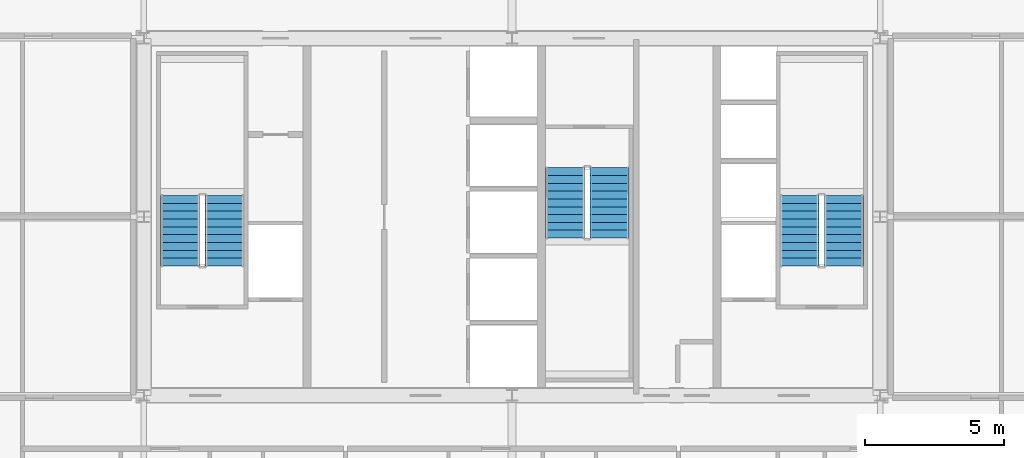
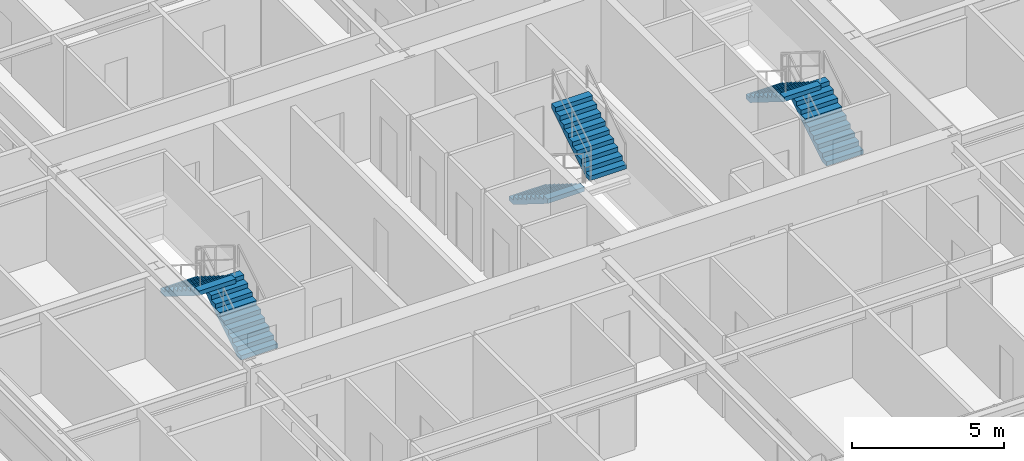
# One storey, part 36 of 37: 6 stair flights, 3 elements without a shape of their own.
"""IFC4 building model written with IfcOpenShell, lengths in metres."""

from ifc_helpers import new_model, si_unit, direction, frame, origin, place, context, subcontext, project, spatial, polyline, outline, extrude, source, transform, mapped, material, type_object, element, aggregate, save


model = new_model("IFC4")

# Units and contexts
model_context = context("Model", 3, precision=1e-05, world=origin(), true_north=direction((0.0, 1.0)))
body_context = subcontext(model_context, "Body", "Model", "MODEL_VIEW")
ifc_project = project(units=[si_unit("LENGTHUNIT", "METRE"), si_unit("AREAUNIT", "SQUARE_METRE"), si_unit("VOLUMEUNIT", "CUBIC_METRE"), si_unit("PLANEANGLEUNIT", "RADIAN"), si_unit("MASSUNIT", "GRAM", prefix="KILO"), si_unit("THERMODYNAMICTEMPERATUREUNIT", "KELVIN"), si_unit("POWERUNIT", "WATT")], contexts=[model_context])

# Site, building, storey
site_placement = place(None, origin())
site = spatial("IfcSite", under=ifc_project, at=site_placement, CompositionType="ELEMENT")
building_placement = place(site_placement, origin())
building = spatial("IfcBuilding", under=site, at=building_placement, Name="Yuzanri Waterfront Tower", CompositionType="ELEMENT")
storey_placement = place(building_placement, frame((0.0, 0.0, 245.10009765625)))
storey = spatial("IfcBuildingStorey", under=building, at=storey_placement, Name="L65", CompositionType="ELEMENT", Elevation=245.10009765625)

# Stair, stair flights
ifc_material_1 = material(Name="Concrete C40", Category="concrete")
stair_type = type_object("IfcStairType", Name="Concrete C40 Core Dogleg Exit Stair", PredefinedType="HALF_TURN_STAIR", material=ifc_material_1)
stair_1_placement = place(storey_placement, origin())
stair_1 = element("IfcStair", 1, at=stair_1_placement, inside=storey, type_object=stair_type, Name="L65 Smoke-Proof Core Stair ST-01", PredefinedType="HALF_TURN_STAIR")
ifc_material_2 = material(Name="Concrete C40", Category="concrete")
stair_flight_type = type_object("IfcStairFlightType", Name="Concrete C40 Precast Stair Flight 1380", PredefinedType="STRAIGHT", material=ifc_material_2)
shared_shape = source(origin(), body_context, "Body", "SweptSolid", [
    extrude(outline(polyline([(0.0, 0.0), (0.0, 0.175048828125), (0.280029296875, 0.175048828125), (0.280029296875, 0.35009765625), (0.56005859375, 0.35009765625), (0.56005859375, 0.52490234375), (0.840087890625, 0.52490234375), (0.840087890625, 0.699951171875), (1.1201171875, 0.699951171875), (1.1201171875, 0.875), (1.39990234375, 0.875), (1.39990234375, 1.050048828125), (1.679931640625, 1.050048828125), (1.679931640625, 1.22509765625), (1.9599609375, 1.22509765625), (1.9599609375, 1.39990234375), (2.239990234375, 1.39990234375), (2.239990234375, 1.574951171875), (2.52001953125, 1.574951171875), (2.52001953125, 1.75), (2.52001953125, 1.398193359375), (0.28271484375, 0.0), (0.0, 0.0)])), frame((0.0, 0.699951171875, 0.0), z_axis=(0.0, -1.0, 0.0), x_axis=(1.0, 0.0, 0.0)), (0.0, 0.0, 1.0), 1.39990234375),
])
stair_flight_1_placement = place(storey_placement, frame((26.699951171875, 24.0400390625, 0.0), z_axis=(0.0, 0.0, 1.0), x_axis=(0.0, 1.0, 0.0)))
stair_flight_1 = element("IfcStairFlight", 2, at=stair_flight_1_placement, type_object=stair_flight_type, Name="ST-01 flight 1", NumberOfRisers=10, NumberOfTreads=9, PredefinedType="STRAIGHT", RiserHeight=0.175, TreadLength=0.28, context=body_context, shape_type="MappedRepresentation", body=[
    mapped(shared_shape, transform((0.0, 0.0, 0.0), scale=1.0)),
])
stair_flight_2_placement = place(storey_placement, frame((25.10009765625, 26.56005859375, 1.75), z_axis=(0.0, 0.0, 1.0), x_axis=(0.0, -1.0, 0.0)))
stair_flight_2 = element("IfcStairFlight", 3, at=stair_flight_2_placement, type_object=stair_flight_type, Name="ST-01 flight 2", NumberOfRisers=10, NumberOfTreads=9, PredefinedType="STRAIGHT", RiserHeight=0.175, TreadLength=0.28, context=body_context, shape_type="MappedRepresentation", body=[
    mapped(shared_shape, transform((0.0, 0.0, 0.0), scale=1.0)),
])
aggregate(stair_1, [stair_flight_1, stair_flight_2])

stair_2_placement = place(storey_placement, origin())
stair_2 = element("IfcStair", 4, at=stair_2_placement, inside=storey, type_object=stair_type, Name="L65 Smoke-Proof Core Stair ST-02", PredefinedType="HALF_TURN_STAIR")
stair_flight_3_placement = place(storey_placement, frame((48.89990234375, 24.0400390625, 0.0), z_axis=(0.0, 0.0, 1.0), x_axis=(0.0, 1.0, 0.0)))
stair_flight_3 = element("IfcStairFlight", 5, at=stair_flight_3_placement, type_object=stair_flight_type, Name="ST-02 flight 1", NumberOfRisers=10, NumberOfTreads=9, PredefinedType="STRAIGHT", RiserHeight=0.175, TreadLength=0.28, context=body_context, shape_type="MappedRepresentation", body=[
    mapped(shared_shape, transform((0.0, 0.0, 0.0), scale=1.0)),
])
stair_flight_4_placement = place(storey_placement, frame((47.300048828125, 26.56005859375, 1.75), z_axis=(0.0, 0.0, 1.0), x_axis=(0.0, -1.0, 0.0)))
stair_flight_4 = element("IfcStairFlight", 6, at=stair_flight_4_placement, type_object=stair_flight_type, Name="ST-02 flight 2", NumberOfRisers=10, NumberOfTreads=9, PredefinedType="STRAIGHT", RiserHeight=0.175, TreadLength=0.28, context=body_context, shape_type="MappedRepresentation", body=[
    mapped(shared_shape, transform((0.0, 0.0, 0.0), scale=1.0)),
])
aggregate(stair_2, [stair_flight_3, stair_flight_4])

stair_3_placement = place(storey_placement, origin())
stair_3 = element("IfcStair", 7, at=stair_3_placement, inside=storey, type_object=stair_type, Name="L65 Smoke-Proof Core Stair ST-03", PredefinedType="HALF_TURN_STAIR")
stair_flight_5_placement = place(storey_placement, frame((38.89990234375, 27.56005859375, 0.0), z_axis=(0.0, 0.0, 1.0), x_axis=(0.0, -1.0, 0.0)))
stair_flight_5 = element("IfcStairFlight", 8, at=stair_flight_5_placement, type_object=stair_flight_type, Name="ST-03 flight 1", NumberOfRisers=10, NumberOfTreads=9, PredefinedType="STRAIGHT", RiserHeight=0.175, TreadLength=0.28, context=body_context, shape_type="MappedRepresentation", body=[
    mapped(shared_shape, transform((0.0, 0.0, 0.0), scale=1.0)),
])
stair_flight_6_placement = place(storey_placement, frame((40.5, 25.0400390625, 1.75), z_axis=(0.0, 0.0, 1.0), x_axis=(0.0, 1.0, 0.0)))
stair_flight_6 = element("IfcStairFlight", 9, at=stair_flight_6_placement, type_object=stair_flight_type, Name="ST-03 flight 2", NumberOfRisers=10, NumberOfTreads=9, PredefinedType="STRAIGHT", RiserHeight=0.175, TreadLength=0.28, context=body_context, shape_type="MappedRepresentation", body=[
    mapped(shared_shape, transform((0.0, 0.0, 0.0), scale=1.0)),
])
aggregate(stair_3, [stair_flight_5, stair_flight_6])

save(model, "model.ifc")
